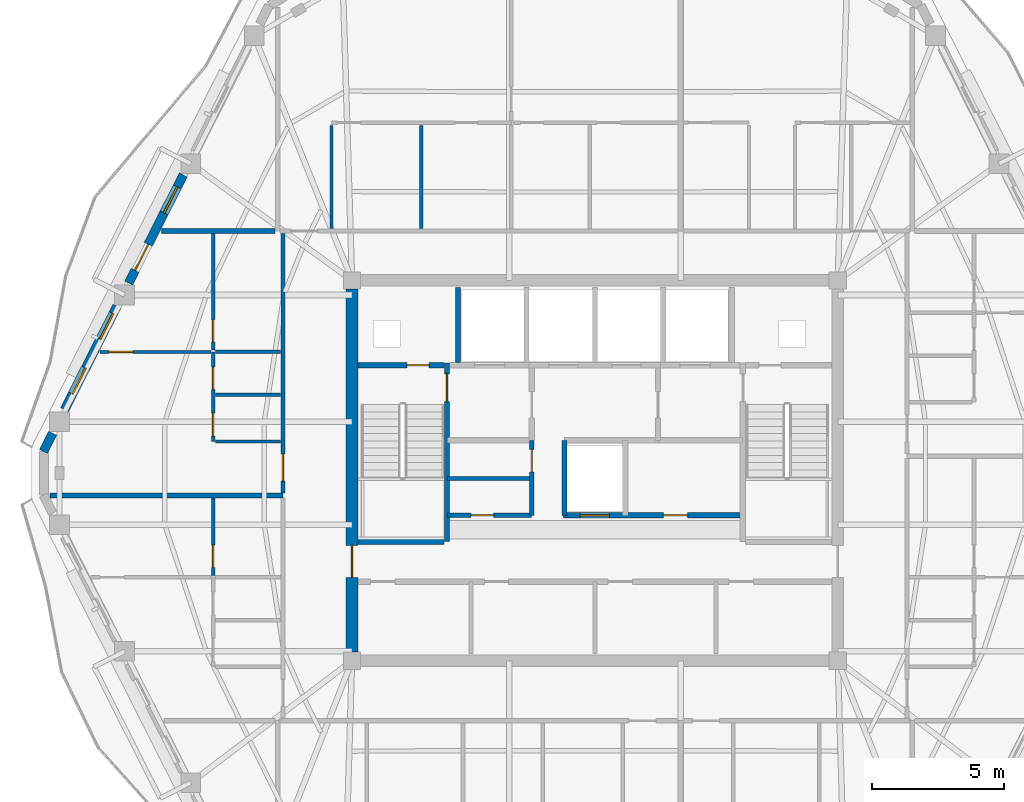
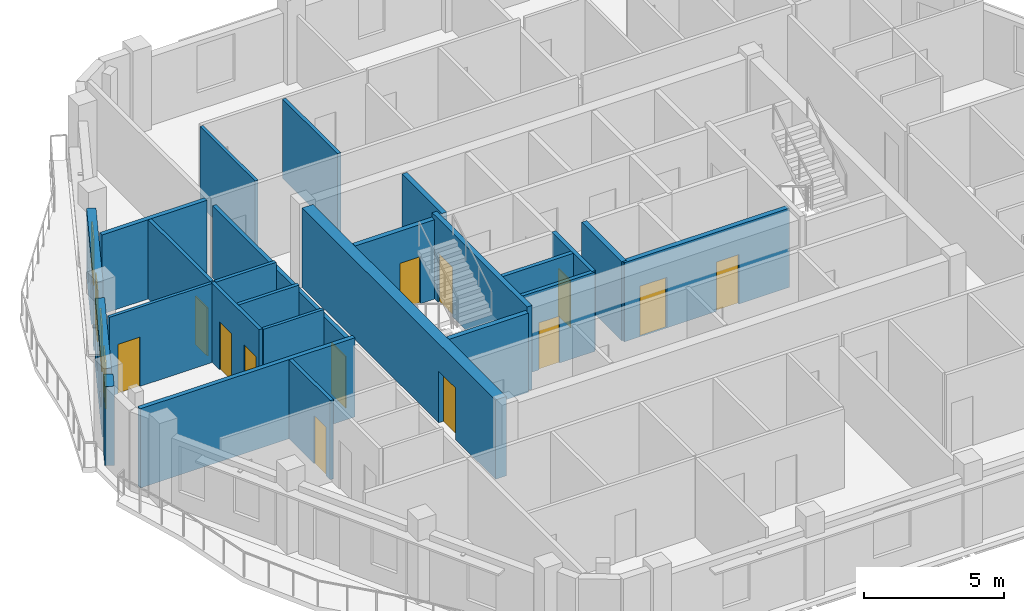
# One storey, part 5 of 11: 25 walls, 14 doors, 3 windows, 17 openings.
"""IFC4 building model written with IfcOpenShell, lengths in metres."""

from ifc_helpers import new_model, si_unit, direction, frame, frame_2d, origin, place, context, subcontext, project, spatial, rectangle, extrude, material, layer, layer_set, type_object, element, fill, save


model = new_model("IFC4")

# Units and contexts
model_context = context("Model", 3, precision=1e-05, world=origin(), true_north=direction((0.0, 1.0)))
body_context = subcontext(model_context, "Body", "Model", "MODEL_VIEW")
ifc_project = project(units=[si_unit("LENGTHUNIT", "METRE"), si_unit("AREAUNIT", "SQUARE_METRE"), si_unit("VOLUMEUNIT", "CUBIC_METRE"), si_unit("PLANEANGLEUNIT", "RADIAN"), si_unit("MASSUNIT", "GRAM", prefix="KILO")], contexts=[model_context])

# Site, building, storey
site_placement = place(None, origin())
site = spatial("IfcSite", under=ifc_project, at=site_placement, CompositionType="ELEMENT")
building_placement = place(site_placement, origin())
building = spatial("IfcBuilding", under=site, at=building_placement, Name="Cinnabar Lancet Tower", CompositionType="ELEMENT")
storey_placement = place(building_placement, frame((0.0, 0.0, 256.199951171875)))
storey = spatial("IfcBuildingStorey", under=building, at=storey_placement, Name="L68", CompositionType="ELEMENT", Elevation=256.199951171875)

# Wall, opening, door
ifc_material_1 = material(Name="Acoustic twin-stud gypsum partition", Category="gypsum")
ifc_layer_1 = layer(ifc_material_1, 0.159912109375)
ifc_layer_set_1 = layer_set([ifc_layer_1], Name="Acoustic twin-stud gypsum partition")
wall_type_1 = type_object("IfcWallType", Name="ARC-WL-CORR-160", PredefinedType="PARTITIONING", material=ifc_layer_set_1)
wall_1_placement = place(storey_placement, frame((26.800048828125, 24.199951171875, 0.0), z_axis=(0.0, 0.0, 1.0), x_axis=(1.0, 0.0, 0.0)))
wall_1 = element("IfcWall", 1, at=wall_1_placement, inside=storey, type_object=wall_type_1, Name="CW-REC5S-L68", PredefinedType="PARTITIONING", context=body_context, shape_type="SweptSolid", body=[
    extrude(rectangle(XDim=3.199951171875, YDim=0.159912109375, at=frame_2d((1.60009765625, 0.0))), origin(), (0.0, 0.0, 1.0), 3.449951171875),
])
opening_1_placement = place(wall_1_placement, frame((0.89990234375, 0.0, 0.0)))
opening_1 = element("IfcOpeningElement", 2, at=opening_1_placement, cuts=wall_1, Name="Opening PD-02", PredefinedType="OPENING", context=body_context, shape_type="SweptSolid", body=[
    extrude(rectangle(XDim=0.85009765625, YDim=2.050048828125, at=frame_2d((0.425048828125, 1.02490234375))), frame((0.0, 0.08984375, 0.0), z_axis=(0.0, -1.0, 0.0), x_axis=(1.0, 0.0, 0.0)), (0.0, 0.0, 1.0), 0.179931640625),
])
ifc_material_2 = material(Name="Fire-rated steel riser access door", Category="steel")
door_type_1 = type_object("IfcDoorType", Name="ARC-DR-RISER", OperationType="NOTDEFINED", PredefinedType="DOOR", material=ifc_material_2)
door_1_placement = place(opening_1_placement, origin())
door_1 = element("IfcDoor", 3, at=door_1_placement, inside=storey, type_object=door_type_1, Name="DR-L68-REC5S", OperationType="SINGLE_SWING_LEFT", OverallHeight=2.050048828125, OverallWidth=0.85009765625, PredefinedType="DOOR", context=body_context, shape_type="SweptSolid", body=[
    extrude(rectangle(XDim=0.85009765625, YDim=2.050048828125, at=frame_2d((0.425048828125, 1.02490234375))), frame((0.0, 0.02490234375, 0.0), z_axis=(0.0, -1.0, 0.0), x_axis=(1.0, 0.0, 0.0)), (0.0, 0.0, 1.0), 0.050048828125),
])
fill(opening_1, door_1)

wall_2_placement = place(storey_placement, frame((30.0, 24.199951171875, 0.0), z_axis=(0.0, 0.0, 1.0), x_axis=(0.0, 1.0, 0.0)))
wall_2 = element("IfcWall", 4, at=wall_2_placement, inside=storey, type_object=wall_type_1, Name="CW-REC5E-L68", PredefinedType="PARTITIONING", context=body_context, shape_type="SweptSolid", body=[
    extrude(rectangle(XDim=2.85009765625, YDim=0.159912109375, at=frame_2d((1.425048828125, 0.0))), origin(), (0.0, 0.0, 1.0), 3.449951171875),
])
opening_2_placement = place(wall_2_placement, frame((1.64990234375, 0.0, 0.0)))
opening_2 = element("IfcOpeningElement", 5, at=opening_2_placement, cuts=wall_2, Name="Opening PD-02", PredefinedType="OPENING", context=body_context, shape_type="SweptSolid", body=[
    extrude(rectangle(XDim=0.85009765625, YDim=2.050048828125, at=frame_2d((0.425048828125, 1.02490234375))), frame((0.0, 0.08984375, 0.0), z_axis=(0.0, -1.0, 0.0), x_axis=(1.0, 0.0, 0.0)), (0.0, 0.0, 1.0), 0.179931640625),
])
door_2_placement = place(opening_2_placement, origin())
door_2 = element("IfcDoor", 6, at=door_2_placement, inside=storey, type_object=door_type_1, Name="DR-L68-REC5N", OperationType="SINGLE_SWING_RIGHT", OverallHeight=2.050048828125, OverallWidth=0.85009765625, PredefinedType="DOOR", context=body_context, shape_type="SweptSolid", body=[
    extrude(rectangle(XDim=0.85009765625, YDim=2.050048828125, at=frame_2d((0.425048828125, 1.02490234375))), frame((0.0, 0.02490234375, 0.0), z_axis=(0.0, -1.0, 0.0), x_axis=(1.0, 0.0, 0.0)), (0.0, 0.0, 1.0), 0.050048828125),
])
fill(opening_2, door_2)

# Wall
wall_3_placement = place(storey_placement, frame((26.800048828125, 25.60009765625, 0.0), z_axis=(0.0, 0.0, 1.0), x_axis=(1.0, 0.0, 0.0)))
element("IfcWall", 7, at=wall_3_placement, inside=storey, type_object=wall_type_1, Name="CW-REC5HZ-L68", PredefinedType="PARTITIONING", context=body_context, shape_type="SweptSolid", body=[
    extrude(rectangle(XDim=3.199951171875, YDim=0.159912109375, at=frame_2d((1.60009765625, 0.0))), origin(), (0.0, 0.0, 1.0), 3.449951171875),
])

# Wall, opening, door
wall_4_placement = place(storey_placement, frame((20.550048828125, 25.051025390625, 0.0), z_axis=(0.0, 0.0, 1.0), x_axis=(0.0, 1.0, 0.0)))
wall_4 = element("IfcWall", 8, at=wall_4_placement, inside=storey, type_object=wall_type_1, Name="UW-L68-W02-COR", PredefinedType="PARTITIONING", context=body_context, shape_type="SweptSolid", body=[
    extrude(rectangle(XDim=9.85400390625, YDim=0.159912109375, at=frame_2d((4.927001953125, 0.0))), origin(), (0.0, 0.0, 1.0), 3.136962890625),
])
opening_3_placement = place(wall_4_placement, frame((0.449951171875, 0.0, 0.0)))
opening_3 = element("IfcOpeningElement", 9, at=opening_3_placement, cuts=wall_4, Name="Opening UD-01", PredefinedType="OPENING", context=body_context, shape_type="SweptSolid", body=[
    extrude(rectangle(XDim=1.02001953125, YDim=2.25, at=frame_2d((0.510009765625, 1.125))), frame((0.0, 0.08984375, 0.0), z_axis=(0.0, -1.0, 0.0), x_axis=(1.0, 0.0, 0.0)), (0.0, 0.0, 1.0), 0.179931640625),
])
ifc_material_3 = material(Name="Solid timber fire-rated apartment entrance door", Category="wood")
door_type_2 = type_object("IfcDoorType", Name="ARC-DR-UNIT", OperationType="NOTDEFINED", PredefinedType="DOOR", material=ifc_material_3)
door_3_placement = place(opening_3_placement, origin())
door_3 = element("IfcDoor", 10, at=door_3_placement, inside=storey, type_object=door_type_2, Name="DR-L68-W02-ENT", OperationType="SINGLE_SWING_LEFT", OverallHeight=2.25, OverallWidth=1.02001953125, PredefinedType="DOOR", context=body_context, shape_type="SweptSolid", body=[
    extrude(rectangle(XDim=1.02001953125, YDim=2.25, at=frame_2d((0.510009765625, 1.125))), frame((0.0, 0.02490234375, 0.0), z_axis=(0.0, -1.0, 0.0), x_axis=(1.0, 0.0, 0.0)), (0.0, 0.0, 1.0), 0.050048828125),
])
fill(opening_3, door_3)

# Walls
ifc_material_4 = material(Name="Fire-rated twin-frame acoustic drywall", Category="gypsum")
ifc_layer_2 = layer(ifc_material_4, 0.179931640625)
ifc_layer_set_2 = layer_set([ifc_layer_2], Name="Fire-rated twin-frame acoustic drywall")
wall_type_2 = type_object("IfcWallType", Name="ARC-WL-PARTY-180", PredefinedType="PARTITIONING", material=ifc_layer_set_2)
wall_5_placement = place(storey_placement, frame((15.93310546875, 35.0, 0.0), z_axis=(0.0, 0.0, 1.0), x_axis=(1.0, 0.0, 0.0)))
element("IfcWall", 11, at=wall_5_placement, inside=storey, type_object=wall_type_2, Name="PW-L68-WNB", PredefinedType="PARTITIONING", context=body_context, shape_type="SweptSolid", body=[
    extrude(rectangle(XDim=4.32177734375, YDim=0.179931640625, at=frame_2d((2.160888671875, 0.0))), origin(), (0.0, 0.0, 1.0), 3.449951171875),
])
wall_6_placement = place(storey_placement, frame((11.70703125, 24.9560546875, 0.0), z_axis=(0.0, 0.0, 1.0), x_axis=(1.0, 0.0, 0.0)))
element("IfcWall", 12, at=wall_6_placement, inside=storey, type_object=wall_type_2, Name="PW-L68-WPTY-1", PredefinedType="PARTITIONING", context=body_context, shape_type="SweptSolid", body=[
    extrude(rectangle(XDim=8.843017578125, YDim=0.179931640625, at=frame_2d((4.42138671875, 0.0))), origin(), (0.0, 0.0, 1.0), 3.449951171875),
])
ifc_material_5 = material(Name="Autoclaved aerated concrete blockwork", Category="masonry")
ifc_layer_3 = layer(ifc_material_5, 0.199951171875)
ifc_layer_set_3 = layer_set([ifc_layer_3], Name="Autoclaved aerated concrete blockwork")
wall_type_3 = type_object("IfcWallType", Name="ARC-WL-SHAFT-200", PredefinedType="PLUMBINGWALL", material=ifc_layer_set_3)
wall_7_placement = place(storey_placement, frame((23.405029296875, 23.199951171875, 0.0), z_axis=(0.0, 0.0, 1.0), x_axis=(1.0, 0.0, 0.0)))
element("IfcWall", 13, at=wall_7_placement, inside=storey, type_object=wall_type_3, Name="CW-ST1S-L68", PredefinedType="PLUMBINGWALL", context=body_context, shape_type="SweptSolid", body=[
    extrude(rectangle(XDim=3.27001953125, YDim=0.199951171875, at=frame_2d((1.635009765625, 0.0))), origin(), (0.0, 0.0, 1.0), 3.449951171875),
])

# Wall, opening, door
wall_8_placement = place(storey_placement, frame((23.405029296875, 29.89990234375, 0.0), z_axis=(0.0, 0.0, 1.0), x_axis=(1.0, 0.0, 0.0)))
wall_8 = element("IfcWall", 14, at=wall_8_placement, inside=storey, type_object=wall_type_3, Name="CW-NSH-W-L68", PredefinedType="PLUMBINGWALL", context=body_context, shape_type="SweptSolid", body=[
    extrude(rectangle(XDim=3.27001953125, YDim=0.199951171875, at=frame_2d((1.635009765625, 0.0))), origin(), (0.0, 0.0, 1.0), 3.449951171875),
])
opening_4_placement = place(wall_8_placement, frame((1.85009765625, 0.0, 0.0)))
opening_4 = element("IfcOpeningElement", 15, at=opening_4_placement, cuts=wall_8, Name="Opening PD-02", PredefinedType="OPENING", context=body_context, shape_type="SweptSolid", body=[
    extrude(rectangle(XDim=0.85009765625, YDim=2.050048828125, at=frame_2d((0.425048828125, 1.02490234375))), frame((0.0, 0.10986328125, 0.0), z_axis=(0.0, -1.0, 0.0), x_axis=(1.0, 0.0, 0.0)), (0.0, 0.0, 1.0), 0.219970703125),
])
door_4_placement = place(opening_4_placement, origin())
door_4 = element("IfcDoor", 16, at=door_4_placement, inside=storey, type_object=door_type_1, Name="L68 West Riser Access Door", OperationType="SINGLE_SWING_LEFT", OverallHeight=2.050048828125, OverallWidth=0.85009765625, PredefinedType="DOOR", context=body_context, shape_type="SweptSolid", body=[
    extrude(rectangle(XDim=0.85009765625, YDim=2.050048828125, at=frame_2d((0.425048828125, 1.02490234375))), frame((0.0, 0.02490234375, 0.0), z_axis=(0.0, -1.0, 0.0), x_axis=(1.0, 0.0, 0.0)), (0.0, 0.0, 1.0), 0.050048828125),
])
fill(opening_4, door_4)

# Wall
wall_9_placement = place(storey_placement, frame((27.199951171875, 30.0, 0.0), z_axis=(0.0, 0.0, 1.0), x_axis=(0.0, 1.0, 0.0)))
element("IfcWall", 17, at=wall_9_placement, inside=storey, type_object=wall_type_3, Name="CW-NSH-D1-L68", PredefinedType="PLUMBINGWALL", context=body_context, shape_type="SweptSolid", body=[
    extrude(rectangle(XDim=2.85009765625, YDim=0.199951171875, at=frame_2d((1.425048828125, 0.0))), origin(), (0.0, 0.0, 1.0), 3.449951171875),
])

# Wall, openings, doors
wall_10_placement = place(storey_placement, frame((31.199951171875, 24.199951171875, 0.0), z_axis=(0.0, 0.0, 1.0), x_axis=(1.0, 0.0, 0.0)))
wall_10 = element("IfcWall", 18, at=wall_10_placement, inside=storey, type_object=wall_type_3, Name="CW-PL96S-L68", PredefinedType="PLUMBINGWALL", context=body_context, shape_type="SweptSolid", body=[
    extrude(rectangle(XDim=6.800048828125, YDim=0.199951171875, at=frame_2d((3.39990234375, 0.0))), origin(), (0.0, 0.0, 1.0), 3.449951171875),
])
opening_5_placement = place(wall_10_placement, frame((0.64990234375, 0.0, 0.0)))
opening_5 = element("IfcOpeningElement", 19, at=opening_5_placement, cuts=wall_10, Name="Opening LD-01", PredefinedType="OPENING", context=body_context, shape_type="SweptSolid", body=[
    extrude(rectangle(XDim=1.10009765625, YDim=2.199951171875, at=frame_2d((0.550048828125, 1.10009765625))), frame((0.0, 0.10986328125, 0.0), z_axis=(0.0, -1.0, 0.0), x_axis=(1.0, 0.0, 0.0)), (0.0, 0.0, 1.0), 0.219970703125),
])
opening_6_placement = place(wall_10_placement, frame((3.800048828125, 0.0, 0.0)))
opening_6 = element("IfcOpeningElement", 20, at=opening_6_placement, cuts=wall_10, Name="Opening RD-01", PredefinedType="OPENING", context=body_context, shape_type="SweptSolid", body=[
    extrude(rectangle(XDim=0.919921875, YDim=2.14990234375, at=frame_2d((0.4599609375, 1.074951171875))), frame((0.0, 0.10986328125, 0.0), z_axis=(0.0, -1.0, 0.0), x_axis=(1.0, 0.0, 0.0)), (0.0, 0.0, 1.0), 0.219970703125),
])
ifc_material_6 = material(Name="Brushed stainless steel sliding lift door", Category="steel")
door_type_3 = type_object("IfcDoorType", Name="ARC-DR-LD-PASS", OperationType="NOTDEFINED", PredefinedType="DOOR", material=ifc_material_6)
door_5_placement = place(opening_5_placement, origin())
door_5 = element("IfcDoor", 21, at=door_5_placement, inside=storey, type_object=door_type_3, Name="L68 Lift PL-9 Landing Door", OperationType="DOUBLE_DOOR_SLIDING", OverallHeight=2.199951171875, OverallWidth=1.10009765625, PredefinedType="DOOR", context=body_context, shape_type="SweptSolid", body=[
    extrude(rectangle(XDim=1.10009765625, YDim=2.199951171875, at=frame_2d((0.550048828125, 1.10009765625))), frame((0.0, 0.02490234375, 0.0), z_axis=(0.0, -1.0, 0.0), x_axis=(1.0, 0.0, 0.0)), (0.0, 0.0, 1.0), 0.050048828125),
])
fill(opening_5, door_5)
ifc_material_7 = material(Name="Engineered timber bedroom door", Category="wood")
door_type_4 = type_object("IfcDoorType", Name="ARC-DR-ROOM", OperationType="NOTDEFINED", PredefinedType="DOOR", material=ifc_material_7)
door_6_placement = place(opening_6_placement, origin())
door_6 = element("IfcDoor", 22, at=door_6_placement, inside=storey, type_object=door_type_4, Name="DR-L68-REC6", OperationType="SINGLE_SWING_RIGHT", OverallHeight=2.14990234375, OverallWidth=0.919921875, PredefinedType="DOOR", context=body_context, shape_type="SweptSolid", body=[
    extrude(rectangle(XDim=0.919921875, YDim=2.14990234375, at=frame_2d((0.4599609375, 1.074951171875))), frame((0.0, 0.02490234375, 0.0), z_axis=(0.0, -1.0, 0.0), x_axis=(1.0, 0.0, 0.0)), (0.0, 0.0, 1.0), 0.050048828125),
])
fill(opening_6, door_6)

# Walls
wall_11_placement = place(storey_placement, frame((31.25, 24.199951171875, 0.0), z_axis=(0.0, 0.0, 1.0), x_axis=(0.0, 1.0, 0.0)))
element("IfcWall", 23, at=wall_11_placement, inside=storey, type_object=wall_type_3, Name="CW-PL9W-L68", PredefinedType="PLUMBINGWALL", context=body_context, shape_type="SweptSolid", body=[
    extrude(rectangle(XDim=2.85009765625, YDim=0.199951171875, at=frame_2d((1.425048828125, 0.0))), origin(), (0.0, 0.0, 1.0), 3.449951171875),
])
ifc_material_8 = material(Name="Gypsum plasterboard stud partition", Category="gypsum")
ifc_layer_4 = layer(ifc_material_8, 0.125)
ifc_layer_set_4 = layer_set([ifc_layer_4], Name="Gypsum plasterboard stud partition")
wall_type_4 = type_object("IfcWallType", Name="ARC-WL-UNIT-125", PredefinedType="PARTITIONING", material=ifc_layer_set_4)
wall_12_placement = place(storey_placement, frame((22.39990234375, 35.0849609375, 0.0), z_axis=(0.0, 0.0, 1.0), x_axis=(0.0, 1.0, 0.0)))
element("IfcWall", 24, at=wall_12_placement, inside=storey, type_object=wall_type_4, Name="UW-L68-N01-FOYE", PredefinedType="PARTITIONING", context=body_context, shape_type="SweptSolid", body=[
    extrude(rectangle(XDim=3.925048828125, YDim=0.125, at=frame_2d((1.96240234375, 0.0))), origin(), (0.0, 0.0, 1.0), 3.449951171875),
])
wall_13_placement = place(storey_placement, frame((17.985107421875, 27.006103515625, 0.0), z_axis=(0.0, 0.0, 1.0), x_axis=(1.0, 0.0, 0.0)))
element("IfcWall", 25, at=wall_13_placement, inside=storey, type_object=wall_type_4, Name="UW-L68-W02-FOYN", PredefinedType="PARTITIONING", context=body_context, shape_type="SweptSolid", body=[
    extrude(rectangle(XDim=2.47998046875, YDim=0.125, at=frame_2d((1.239990234375, 0.0))), origin(), (0.0, 0.0, 1.0), 3.449951171875),
])

# Wall, opening, door
wall_14_placement = place(storey_placement, frame((13.593994140625, 30.406005859375, 0.0), z_axis=(0.0, 0.0, 1.0), x_axis=(1.0, 0.0, 0.0)))
wall_14 = element("IfcWall", 26, at=wall_14_placement, inside=storey, type_object=wall_type_4, Name="UW-L68-W02-MBN", PredefinedType="PARTITIONING", context=body_context, shape_type="SweptSolid", body=[
    extrude(rectangle(XDim=4.23095703125, YDim=0.125, at=frame_2d((2.115478515625, 0.0))), origin(), (0.0, 0.0, 1.0), 3.449951171875),
])
opening_7_placement = place(wall_14_placement, frame((0.35009765625, 0.0, 0.0)))
opening_7 = element("IfcOpeningElement", 27, at=opening_7_placement, cuts=wall_14, Name="Opening RD-01", PredefinedType="OPENING", context=body_context, shape_type="SweptSolid", body=[
    extrude(rectangle(XDim=0.919921875, YDim=2.14990234375, at=frame_2d((0.4599609375, 1.074951171875))), frame((0.0, 0.072509765625, 0.0), z_axis=(0.0, -1.0, 0.0), x_axis=(1.0, 0.0, 0.0)), (0.0, 0.0, 1.0), 0.14501953125),
])
door_7_placement = place(opening_7_placement, origin())
door_7 = element("IfcDoor", 28, at=door_7_placement, inside=storey, type_object=door_type_4, Name="DR-L68-W02-MBD", OperationType="SINGLE_SWING_LEFT", OverallHeight=2.14990234375, OverallWidth=0.919921875, PredefinedType="DOOR", context=body_context, shape_type="SweptSolid", body=[
    extrude(rectangle(XDim=0.919921875, YDim=2.14990234375, at=frame_2d((0.4599609375, 1.074951171875))), frame((0.0, 0.02490234375, 0.0), z_axis=(0.0, -1.0, 0.0), x_axis=(1.0, 0.0, 0.0)), (0.0, 0.0, 1.0), 0.050048828125),
])
fill(opening_7, door_7)

# Wall
ifc_material_9 = material(Name="Moisture-resistant cement-board plumbing wall", Category="masonry")
ifc_layer_5 = layer(ifc_material_9, 0.139892578125)
ifc_layer_set_5 = layer_set([ifc_layer_5], Name="Moisture-resistant cement-board plumbing wall")
wall_type_5 = type_object("IfcWallType", Name="ARC-WL-WET-140", PredefinedType="PLUMBINGWALL", material=ifc_layer_set_5)
wall_15_placement = place(storey_placement, frame((25.800048828125, 35.0849609375, 0.0), z_axis=(0.0, 0.0, 1.0), x_axis=(0.0, 1.0, 0.0)))
element("IfcWall", 29, at=wall_15_placement, inside=storey, type_object=wall_type_5, Name="UW-L68-N01-KBD", PredefinedType="PLUMBINGWALL", context=body_context, shape_type="SweptSolid", body=[
    extrude(rectangle(XDim=3.925048828125, YDim=0.139892578125, at=frame_2d((1.96240234375, 0.0))), origin(), (0.0, 0.0, 1.0), 3.449951171875),
])

# Wall, opening, door
wall_16_placement = place(storey_placement, frame((17.89990234375, 21.919921875, 0.0), z_axis=(0.0, 0.0, 1.0), x_axis=(0.0, 1.0, 0.0)))
wall_16 = element("IfcWall", 30, at=wall_16_placement, inside=storey, type_object=wall_type_5, Name="UW-L68-W01-SPM", PredefinedType="PLUMBINGWALL", context=body_context, shape_type="SweptSolid", body=[
    extrude(rectangle(XDim=2.941162109375, YDim=0.139892578125, at=frame_2d((1.470703125, 0.0))), origin(), (0.0, 0.0, 1.0), 3.449951171875),
])
opening_8_placement = place(wall_16_placement, frame((0.300048828125, 0.0, 0.0)))
opening_8 = element("IfcOpeningElement", 31, at=opening_8_placement, cuts=wall_16, Name="Opening BD-01", PredefinedType="OPENING", context=body_context, shape_type="SweptSolid", body=[
    extrude(rectangle(XDim=0.860107421875, YDim=2.10009765625, at=frame_2d((0.43017578125, 1.050048828125))), frame((0.0, 0.079833984375, 0.0), z_axis=(0.0, -1.0, 0.0), x_axis=(1.0, 0.0, 0.0)), (0.0, 0.0, 1.0), 0.159912109375),
])
ifc_material_10 = material(Name="Moisture-resistant timber bathroom door", Category="wood")
door_type_5 = type_object("IfcDoorType", Name="ARC-DR-BATH", OperationType="NOTDEFINED", PredefinedType="DOOR", material=ifc_material_10)
door_8_placement = place(opening_8_placement, origin())
door_8 = element("IfcDoor", 32, at=door_8_placement, inside=storey, type_object=door_type_5, Name="DR-L68-W01-ENS", OperationType="SINGLE_SWING_RIGHT", OverallHeight=2.10009765625, OverallWidth=0.860107421875, PredefinedType="DOOR", context=body_context, shape_type="SweptSolid", body=[
    extrude(rectangle(XDim=0.860107421875, YDim=2.10009765625, at=frame_2d((0.43017578125, 1.050048828125))), frame((0.0, 0.02490234375, 0.0), z_axis=(0.0, -1.0, 0.0), x_axis=(1.0, 0.0, 0.0)), (0.0, 0.0, 1.0), 0.050048828125),
])
fill(opening_8, door_8)

# Wall, openings, doors
wall_17_placement = place(storey_placement, frame((17.89990234375, 27.006103515625, 0.0), z_axis=(0.0, 0.0, 1.0), x_axis=(0.0, 1.0, 0.0)))
wall_17 = element("IfcWall", 33, at=wall_17_placement, inside=storey, type_object=wall_type_5, Name="UW-L68-W02-SPL", PredefinedType="PLUMBINGWALL", context=body_context, shape_type="SweptSolid", body=[
    extrude(rectangle(XDim=3.39990234375, YDim=0.139892578125, at=frame_2d((1.699951171875, 0.0))), origin(), (0.0, 0.0, 1.0), 3.449951171875),
])
opening_9_placement = place(wall_17_placement, frame((0.199951171875, 0.0, 0.0)))
opening_9 = element("IfcOpeningElement", 34, at=opening_9_placement, cuts=wall_17, Name="Opening RD-02", PredefinedType="OPENING", context=body_context, shape_type="SweptSolid", body=[
    extrude(rectangle(XDim=0.8798828125, YDim=2.14990234375, at=frame_2d((0.43994140625, 1.074951171875))), frame((0.0, 0.079833984375, 0.0), z_axis=(0.0, -1.0, 0.0), x_axis=(1.0, 0.0, 0.0)), (0.0, 0.0, 1.0), 0.159912109375),
])
opening_10_placement = place(wall_17_placement, frame((1.968017578125, 0.0, 0.0)))
opening_10 = element("IfcOpeningElement", 35, at=opening_10_placement, cuts=wall_17, Name="Opening BD-01", PredefinedType="OPENING", context=body_context, shape_type="SweptSolid", body=[
    extrude(rectangle(XDim=0.860107421875, YDim=2.10009765625, at=frame_2d((0.43017578125, 1.050048828125))), frame((0.0, 0.079833984375, 0.0), z_axis=(0.0, -1.0, 0.0), x_axis=(1.0, 0.0, 0.0)), (0.0, 0.0, 1.0), 0.159912109375),
])
door_9_placement = place(opening_10_placement, origin())
door_9 = element("IfcDoor", 36, at=door_9_placement, inside=storey, type_object=door_type_5, Name="DR-L68-W02-BTH", OperationType="SINGLE_SWING_LEFT", OverallHeight=2.10009765625, OverallWidth=0.860107421875, PredefinedType="DOOR", context=body_context, shape_type="SweptSolid", body=[
    extrude(rectangle(XDim=0.860107421875, YDim=2.10009765625, at=frame_2d((0.43017578125, 1.050048828125))), frame((0.0, 0.02490234375, 0.0), z_axis=(0.0, -1.0, 0.0), x_axis=(1.0, 0.0, 0.0)), (0.0, 0.0, 1.0), 0.050048828125),
])
fill(opening_10, door_9)
ifc_material_11 = material(Name="Engineered timber study door", Category="wood")
door_type_6 = type_object("IfcDoorType", Name="ARC-DR-STUDY", OperationType="NOTDEFINED", PredefinedType="DOOR", material=ifc_material_11)
door_10_placement = place(opening_9_placement, origin())
door_10 = element("IfcDoor", 37, at=door_10_placement, inside=storey, type_object=door_type_6, Name="DR-L68-W02-KIT", OperationType="SINGLE_SWING_RIGHT", OverallHeight=2.14990234375, OverallWidth=0.8798828125, PredefinedType="DOOR", context=body_context, shape_type="SweptSolid", body=[
    extrude(rectangle(XDim=0.8798828125, YDim=2.14990234375, at=frame_2d((0.43994140625, 1.074951171875))), frame((0.0, 0.02490234375, 0.0), z_axis=(0.0, -1.0, 0.0), x_axis=(1.0, 0.0, 0.0)), (0.0, 0.0, 1.0), 0.050048828125),
])
fill(opening_9, door_10)

# Wall, opening, door
wall_18_placement = place(storey_placement, frame((17.89990234375, 30.47607421875, 0.0), z_axis=(0.0, 0.0, 1.0), x_axis=(0.0, 1.0, 0.0)))
wall_18 = element("IfcWall", 38, at=wall_18_placement, inside=storey, type_object=wall_type_5, Name="UW-L68-W02-SPM", PredefinedType="PLUMBINGWALL", context=body_context, shape_type="SweptSolid", body=[
    extrude(rectangle(XDim=4.428955078125, YDim=0.139892578125, at=frame_2d((2.21435546875, 0.0))), origin(), (0.0, 0.0, 1.0), 3.449951171875),
])
opening_11_placement = place(wall_18_placement, frame((0.300048828125, 0.0, 0.0)))
opening_11 = element("IfcOpeningElement", 39, at=opening_11_placement, cuts=wall_18, Name="Opening BD-01", PredefinedType="OPENING", context=body_context, shape_type="SweptSolid", body=[
    extrude(rectangle(XDim=0.860107421875, YDim=2.10009765625, at=frame_2d((0.43017578125, 1.050048828125))), frame((0.0, 0.079833984375, 0.0), z_axis=(0.0, -1.0, 0.0), x_axis=(1.0, 0.0, 0.0)), (0.0, 0.0, 1.0), 0.159912109375),
])
door_11_placement = place(opening_11_placement, origin())
door_11 = element("IfcDoor", 40, at=door_11_placement, inside=storey, type_object=door_type_5, Name="DR-L68-W02-ENS", OperationType="SINGLE_SWING_LEFT", OverallHeight=2.10009765625, OverallWidth=0.860107421875, PredefinedType="DOOR", context=body_context, shape_type="SweptSolid", body=[
    extrude(rectangle(XDim=0.860107421875, YDim=2.10009765625, at=frame_2d((0.43017578125, 1.050048828125))), frame((0.0, 0.02490234375, 0.0), z_axis=(0.0, -1.0, 0.0), x_axis=(1.0, 0.0, 0.0)), (0.0, 0.0, 1.0), 0.050048828125),
])
fill(opening_11, door_11)

# Walls
for number, where, z_axis, x_axis, name in (
    (41, (17.985107421875, 30.406005859375, 0.0), (0.0, 0.0, 1.0), (1.0, 0.0, 0.0), "UW-L68-W02-ENSN"),
    (42, (17.985107421875, 28.77392578125, 0.0), (0.0, 0.0, 1.0), (1.0, 0.0, 0.0), "UW-L68-W02-KDV"),
):
    element("IfcWall", number, at=place(storey_placement, frame(where, z_axis=z_axis, x_axis=x_axis)), inside=storey, type_object=wall_type_5, Name=name, PredefinedType="PLUMBINGWALL", context=body_context, shape_type="SweptSolid", body=[
        extrude(rectangle(XDim=2.47998046875, YDim=0.139892578125, at=frame_2d((1.239990234375, 0.0))), origin(), (0.0, 0.0, 1.0), 3.449951171875),
    ])

# Wall, openings, door, window
ifc_material_12 = material(Name="Cinnabar red clay brick", Category="masonry")
ifc_layer_6 = layer(ifc_material_12, 0.340087890625)
ifc_layer_set_6 = layer_set([ifc_layer_6], Name="Cinnabar red clay brick")
wall_type_6 = type_object("IfcWallType", Name="ENV-WL-BRK-RED-340", PredefinedType="STANDARD", material=ifc_layer_set_6)
wall_19_placement = place(storey_placement, frame((16.76806640625, 37.126953125, 0.0), z_axis=(0.0, 0.0, 1.0), x_axis=(-0.451581819983, -0.892229712496, 0.0)))
wall_19 = element("IfcWall", 43, at=wall_19_placement, inside=storey, type_object=wall_type_6, Name="L68 Face 5 Masonry Bay Wall 3", PredefinedType="STANDARD", context=body_context, shape_type="SweptSolid", body=[
    extrude(rectangle(XDim=4.599609375, YDim=0.340087890625, at=frame_2d((2.2998046875, 0.0))), origin(), (0.0, 0.0, 1.0), 2.983154296875),
])
opening_12_placement = place(wall_19_placement, frame((2.9580078125, 0.0, 0.0)))
opening_12 = element("IfcOpeningElement", 44, at=opening_12_placement, cuts=wall_19, Name="Opening TD-01", PredefinedType="OPENING", context=body_context, shape_type="SweptSolid", body=[
    extrude(rectangle(XDim=1.10009765625, YDim=2.25, at=frame_2d((0.550048828125, 1.125))), frame((0.0, 0.179931640625, 0.0), z_axis=(0.0, -1.0, 0.0), x_axis=(1.0, 0.0, 0.0)), (0.0, 0.0, 1.0), 0.360107421875),
])
opening_13_placement = place(wall_19_placement, frame((0.511962890625, 0.0, 0.75)))
opening_13 = element("IfcOpeningElement", 45, at=opening_13_placement, cuts=wall_19, Name="Opening WN-04", PredefinedType="OPENING", context=body_context, shape_type="SweptSolid", body=[
    extrude(rectangle(XDim=1.10009765625, YDim=2.0, at=frame_2d((0.550048828125, 1.0))), frame((0.0, 0.179931640625, 0.0), z_axis=(0.0, -1.0, 0.0), x_axis=(1.0, 0.0, 0.0)), (0.0, 0.0, 1.0), 0.360107421875),
])
ifc_material_13 = material(Name="Thermally broken low-E glazed balcony terrace door", Category="wood")
door_type_7 = type_object("IfcDoorType", Name="ARC-DR-BALC", OperationType="NOTDEFINED", PredefinedType="DOOR", material=ifc_material_13)
door_12_placement = place(opening_12_placement, origin())
door_12 = element("IfcDoor", 46, at=door_12_placement, inside=storey, type_object=door_type_7, Name="L68 Face 5 Glazed Terrace Door", OperationType="SINGLE_SWING_LEFT", OverallHeight=2.25, OverallWidth=1.10009765625, PredefinedType="DOOR", context=body_context, shape_type="SweptSolid", body=[
    extrude(rectangle(XDim=1.10009765625, YDim=2.25, at=frame_2d((0.550048828125, 1.125))), frame((0.0, 0.02490234375, 0.0), z_axis=(0.0, -1.0, 0.0), x_axis=(1.0, 0.0, 0.0)), (0.0, 0.0, 1.0), 0.050048828125),
])
fill(opening_12, door_12)
ifc_material_14 = material(Name="Thermally broken bronze-anodized aluminium tall lancet window", Category="aluminium")
window_type = type_object("IfcWindowType", Name="ENV-WN-LANCET-1100", PartitioningType="SINGLE_PANEL", PredefinedType="WINDOW", material=ifc_material_14)
window_1_placement = place(opening_13_placement, origin())
window_1 = element("IfcWindow", 47, at=window_1_placement, inside=storey, type_object=window_type, Name="L68 Split-Bay Gothic Lancet Window 246", OverallHeight=2.0, OverallWidth=1.10009765625, PartitioningType="SINGLE_PANEL", PredefinedType="WINDOW", context=body_context, shape_type="SweptSolid", body=[
    extrude(rectangle(XDim=1.10009765625, YDim=2.0, at=frame_2d((0.550048828125, 1.0))), frame((0.0, 0.030029296875, 0.0), z_axis=(0.0, -1.0, 0.0), x_axis=(1.0, 0.0, 0.0)), (0.0, 0.0, 1.0), 0.06005859375),
])
fill(opening_13, window_1)

# Wall, openings, windows
wall_20_placement = place(storey_placement, frame((14.24609375, 32.14404296875, 0.0), z_axis=(0.0, 0.0, 1.0), x_axis=(-0.451285866323, -0.892379441077, 0.0)))
wall_20 = element("IfcWall", 48, at=wall_20_placement, inside=storey, type_object=wall_type_6, Name="L68 Face 5 Masonry Bay Wall 4", PredefinedType="STANDARD", context=body_context, shape_type="SweptSolid", body=[
    extrude(rectangle(XDim=4.407470703125, YDim=0.340087890625, at=frame_2d((2.20361328125, 0.0))), origin(), (0.0, 0.0, 1.0), 2.983154296875),
])
opening_14_placement = place(wall_20_placement, frame((0.31298828125, 0.0, 0.75)))
opening_14 = element("IfcOpeningElement", 49, at=opening_14_placement, cuts=wall_20, Name="Opening WN-04", PredefinedType="OPENING", context=body_context, shape_type="SweptSolid", body=[
    extrude(rectangle(XDim=1.10009765625, YDim=2.0, at=frame_2d((0.550048828125, 1.0))), frame((0.0, 0.179931640625, 0.0), z_axis=(0.0, -1.0, 0.0), x_axis=(1.0, 0.0, 0.0)), (0.0, 0.0, 1.0), 0.360107421875),
])
opening_15_placement = place(wall_20_placement, frame((2.635986328125, 0.0, 0.75)))
opening_15 = element("IfcOpeningElement", 50, at=opening_15_placement, cuts=wall_20, Name="Opening WN-04", PredefinedType="OPENING", context=body_context, shape_type="SweptSolid", body=[
    extrude(rectangle(XDim=1.10009765625, YDim=2.0, at=frame_2d((0.550048828125, 1.0))), frame((0.0, 0.179931640625, 0.0), z_axis=(0.0, -1.0, 0.0), x_axis=(1.0, 0.0, 0.0)), (0.0, 0.0, 1.0), 0.360107421875),
])
window_2_placement = place(opening_14_placement, origin())
window_2 = element("IfcWindow", 51, at=window_2_placement, inside=storey, type_object=window_type, Name="L68 Face 5 Gothic Lancet Window 4", OverallHeight=2.0, OverallWidth=1.10009765625, PartitioningType="SINGLE_PANEL", PredefinedType="WINDOW", context=body_context, shape_type="SweptSolid", body=[
    extrude(rectangle(XDim=1.10009765625, YDim=2.0, at=frame_2d((0.550048828125, 1.0))), frame((0.0, 0.030029296875, 0.0), z_axis=(0.0, -1.0, 0.0), x_axis=(1.0, 0.0, 0.0)), (0.0, 0.0, 1.0), 0.06005859375),
])
fill(opening_14, window_2)
window_3_placement = place(opening_15_placement, origin())
window_3 = element("IfcWindow", 52, at=window_3_placement, inside=storey, type_object=window_type, Name="L68 Split-Bay Gothic Lancet Window 247", OverallHeight=2.0, OverallWidth=1.10009765625, PartitioningType="SINGLE_PANEL", PredefinedType="WINDOW", context=body_context, shape_type="SweptSolid", body=[
    extrude(rectangle(XDim=1.10009765625, YDim=2.0, at=frame_2d((0.550048828125, 1.0))), frame((0.0, 0.030029296875, 0.0), z_axis=(0.0, -1.0, 0.0), x_axis=(1.0, 0.0, 0.0)), (0.0, 0.0, 1.0), 0.06005859375),
])
fill(opening_15, window_3)

# Wall
wall_21_placement = place(storey_placement, frame((11.803955078125, 27.31591796875, 0.0), z_axis=(0.0, 0.0, 1.0), x_axis=(-0.45075284655, -0.892648795063, 0.0)))
element("IfcWall", 53, at=wall_21_placement, inside=storey, type_object=wall_type_6, Name="L68 Face 5 Masonry Bay Wall 5", PredefinedType="STANDARD", context=body_context, shape_type="SweptSolid", body=[
    extrude(rectangle(XDim=0.771728515625, YDim=0.340087890625, at=frame_2d((0.3857421875, 0.0))), origin(), (0.0, 0.0, 1.0), 3.449951171875),
])

# Wall, opening, door
ifc_material_15 = material(Name="Concrete C50/60", Category="concrete")
ifc_layer_7 = layer(ifc_material_15, 0.449951171875)
ifc_layer_set_7 = layer_set([ifc_layer_7], Name="Concrete C50/60")
wall_type_7 = type_object("IfcWallType", Name="STR-WL-CORE-450", PredefinedType="SHEAR", material=ifc_layer_set_7)
wall_22_placement = place(storey_placement, frame((23.175048828125, 19.0, 0.0), z_axis=(0.0, 0.0, 1.0), x_axis=(0.0, 1.0, 0.0)))
wall_22 = element("IfcWall", 54, at=wall_22_placement, inside=storey, type_object=wall_type_7, Name="L68 Core Shear Wall W", PredefinedType="SHEAR", context=body_context, shape_type="SweptSolid", body=[
    extrude(rectangle(XDim=13.800048828125, YDim=0.449951171875, at=frame_2d((6.89990234375, 0.0))), origin(), (0.0, 0.0, 1.0), 3.449951171875),
])
opening_16_placement = place(wall_22_placement, frame((2.840087890625, 0.0, 0.0)))
opening_16 = element("IfcOpeningElement", 55, at=opening_16_placement, cuts=wall_22, Name="Opening FD-02", PredefinedType="OPENING", context=body_context, shape_type="SweptSolid", body=[
    extrude(rectangle(XDim=1.219970703125, YDim=2.25, at=frame_2d((0.60986328125, 1.125))), frame((0.0, 0.23486328125, 0.0), z_axis=(0.0, -1.0, 0.0), x_axis=(1.0, 0.0, 0.0)), (0.0, 0.0, 1.0), 0.469970703125),
])
ifc_material_16 = material(Name="Fire-rated double-vision core portal door", Category="wood")
door_type_8 = type_object("IfcDoorType", Name="ARC-DR-CPORT", OperationType="NOTDEFINED", PredefinedType="DOOR", material=ifc_material_16)
door_13_placement = place(opening_16_placement, origin())
door_13 = element("IfcDoor", 56, at=door_13_placement, inside=storey, type_object=door_type_8, Name="L68 West Core Lobby Fire Door", OperationType="SINGLE_SWING_RIGHT", OverallHeight=2.25, OverallWidth=1.219970703125, PredefinedType="DOOR", context=body_context, shape_type="SweptSolid", body=[
    extrude(rectangle(XDim=1.219970703125, YDim=2.25, at=frame_2d((0.60986328125, 1.125))), frame((0.0, 0.02490234375, 0.0), z_axis=(0.0, -1.0, 0.0), x_axis=(1.0, 0.0, 0.0)), (0.0, 0.0, 1.0), 0.050048828125),
])
fill(opening_16, door_13)

ifc_material_17 = material(Name="Concrete C50/60", Category="concrete")
ifc_layer_8 = layer(ifc_material_17, 0.199951171875)
ifc_layer_set_8 = layer_set([ifc_layer_8], Name="Concrete C50/60")
wall_type_8 = type_object("IfcWallType", Name="STR-WL-STAIR-200", PredefinedType="SHEAR", material=ifc_layer_set_8)
wall_23_placement = place(storey_placement, frame((26.780029296875, 23.199951171875, 0.0), z_axis=(0.0, 0.0, 1.0), x_axis=(0.0, 1.0, 0.0)))
wall_23 = element("IfcWall", 57, at=wall_23_placement, inside=storey, type_object=wall_type_8, Name="L68 Stair ST-1 Structural Enclosure Wall", PredefinedType="SHEAR", context=body_context, shape_type="SweptSolid", body=[
    extrude(rectangle(XDim=6.780029296875, YDim=0.199951171875, at=frame_2d((3.39013671875, 0.0))), origin(), (0.0, 0.0, 1.0), 3.650146484375),
])
opening_17_placement = place(wall_23_placement, frame((5.320068359375, 0.0, 0.0)))
opening_17 = element("IfcOpeningElement", 58, at=opening_17_placement, cuts=wall_23, Name="Opening SD-01", PredefinedType="OPENING", context=body_context, shape_type="SweptSolid", body=[
    extrude(rectangle(XDim=1.050048828125, YDim=2.14990234375, at=frame_2d((0.52490234375, 1.074951171875))), frame((0.0, 0.10986328125, 0.0), z_axis=(0.0, -1.0, 0.0), x_axis=(1.0, 0.0, 0.0)), (0.0, 0.0, 1.0), 0.219970703125),
])
ifc_material_18 = material(Name="Fire-rated steel stair exit door", Category="steel")
door_type_9 = type_object("IfcDoorType", Name="ARC-DR-STAIR", OperationType="NOTDEFINED", PredefinedType="DOOR", material=ifc_material_18)
door_14_placement = place(opening_17_placement, origin())
door_14 = element("IfcDoor", 59, at=door_14_placement, inside=storey, type_object=door_type_9, Name="L68 Stair ST-1 Fire Door", OperationType="SINGLE_SWING_LEFT", OverallHeight=2.14990234375, OverallWidth=1.050048828125, PredefinedType="DOOR", context=body_context, shape_type="SweptSolid", body=[
    extrude(rectangle(XDim=1.050048828125, YDim=2.14990234375, at=frame_2d((0.52490234375, 1.074951171875))), frame((0.0, 0.02490234375, 0.0), z_axis=(0.0, -1.0, 0.0), x_axis=(1.0, 0.0, 0.0)), (0.0, 0.0, 1.0), 0.050048828125),
])
fill(opening_17, door_14)

save(model, "model.ifc")
